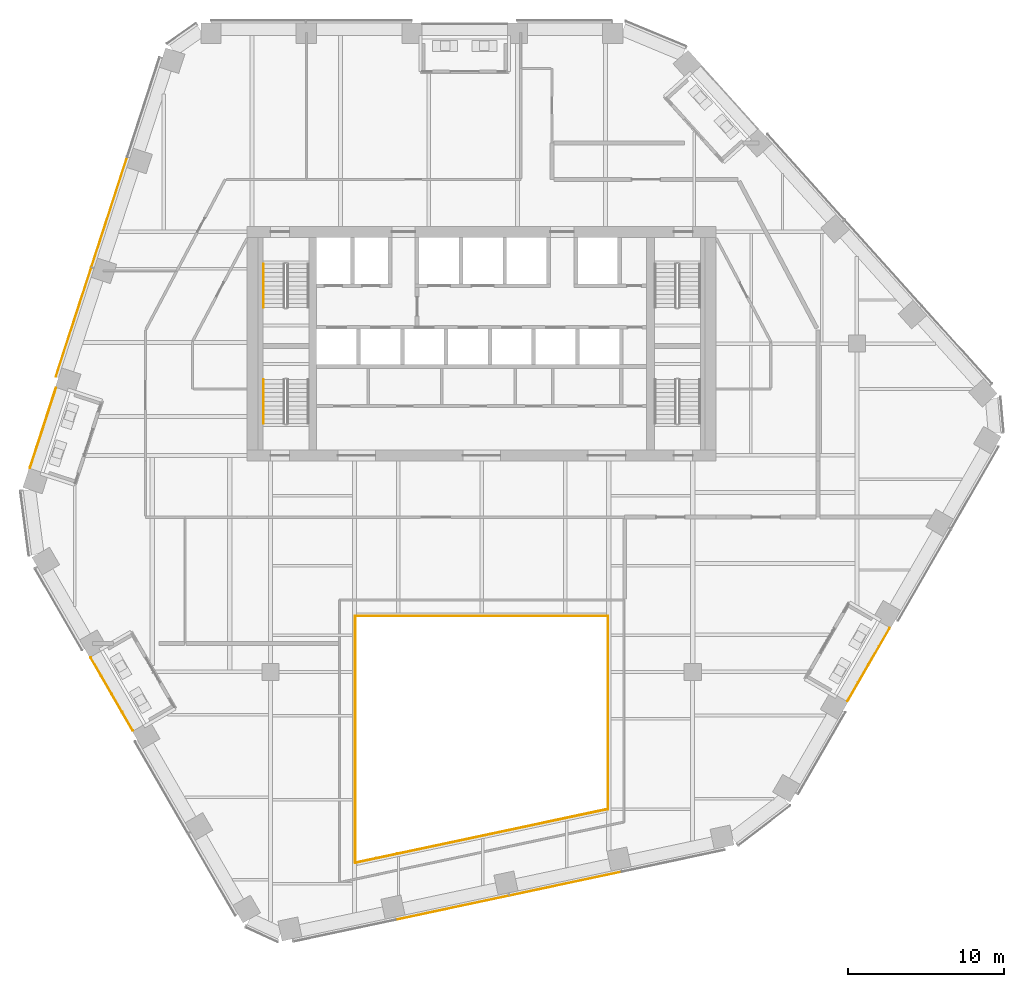
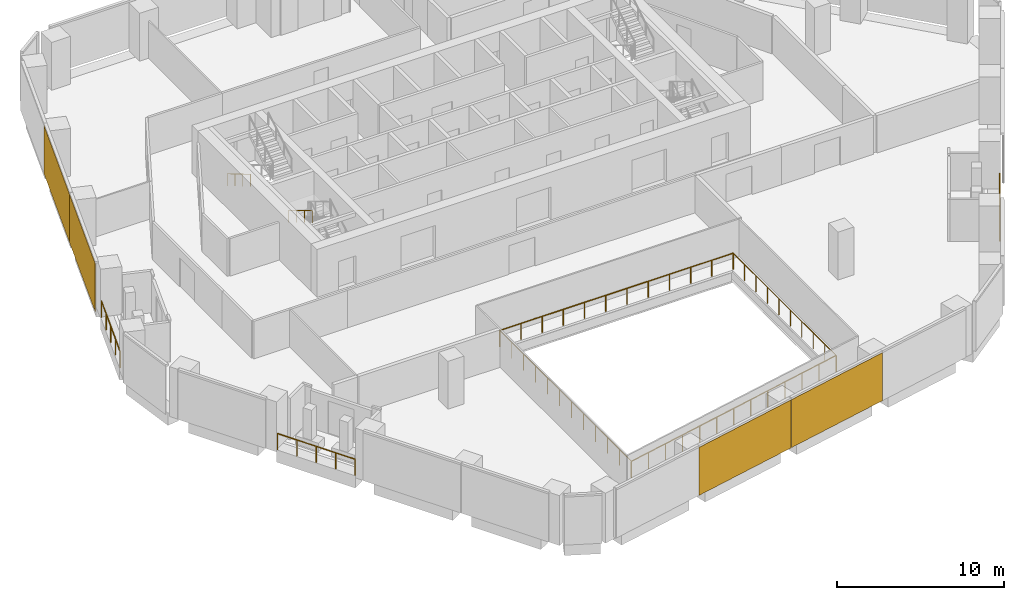
# One storey, part 22 of 25: 9 railings, 4 coverings, 2 elements without a shape of their own.
"""IFC4 building model written with IfcOpenShell, lengths in metres."""

import ifcopenshell
import ifcopenshell.guid

model = None  # the IFC model being written
_history = None  # IfcOwnerHistory: only IFC2X3 demands one
_inside = {}  # id of a spatial element -> (the spatial element, [elements in it])
_under = {}  # id of a project, library or spatial element -> (it, [spatial elements below it])
_declared = {}  # id of a project -> (the project, [libraries it declares])
_typed = {}  # id of a type object -> (the type object, [elements of that type])
_made_of = {}  # id of a material, layer set ... -> (it, [elements and type objects made of it])


def new_model(schema):
    """Start an empty IFC model of exactly this schema.

    Asked for "IFC4X3", IfcOpenShell would pick the latest addendum, in which some entities
    have other attributes; the version numbers below select the first issue.
    IFC2X3 requires an IfcOwnerHistory on every rooted entity: one is made here for all.
    """
    global model, _history
    if schema == "IFC4X3":
        model = ifcopenshell.file(schema_version=(4, 3, 0, 0))
    else:
        model = ifcopenshell.file(schema=schema)
    _inside.clear()
    _under.clear()
    _declared.clear()
    _typed.clear()
    _made_of.clear()
    _history = None
    if model.schema == "IFC2X3":
        org = make("IfcOrganization", Name="unknown")
        user = make(
            "IfcPersonAndOrganization",
            ThePerson=make("IfcPerson", FamilyName="unknown"),
            TheOrganization=org,
        )
        app = make(
            "IfcApplication",
            ApplicationDeveloper=org,
            Version="unknown",
            ApplicationFullName="unknown",
            ApplicationIdentifier="unknown",
        )
        _history = make(
            "IfcOwnerHistory",
            OwningUser=user,
            OwningApplication=app,
            ChangeAction="ADDED",
            CreationDate=0,
        )
    return model


def make(cls, **values):
    """One entity of the class cls with the attributes given. An attribute that is None is left unset."""
    return model.create_entity(
        cls, **{name: value for name, value in values.items() if value is not None}
    )


def rooted(cls, **values):
    """An entity with a GlobalId (a new one), such as an element, a storey or a relation."""
    return make(cls, GlobalId=ifcopenshell.guid.new(), OwnerHistory=_history, **values)


def si_unit(unit_type, name, prefix=None):
    """IfcSIUnit, for example si_unit("LENGTHUNIT", "METRE", prefix="MILLI")."""
    return make("IfcSIUnit", UnitType=unit_type, Prefix=prefix, Name=name)


def assignment(units):
    """IfcUnitAssignment: the units of a project."""
    return None if units is None else make("IfcUnitAssignment", Units=units)


def point(xyz):
    """IfcCartesianPoint."""
    return None if xyz is None else make("IfcCartesianPoint", Coordinates=xyz)


def direction(xyz):
    """IfcDirection."""
    return None if xyz is None else make("IfcDirection", DirectionRatios=xyz)


def frame(location, z_axis=None, x_axis=None):
    """IfcAxis2Placement3D, a coordinate frame: its origin and axes. An axis left out is left unset."""
    return make(
        "IfcAxis2Placement3D",
        Location=point(location),
        Axis=direction(z_axis),
        RefDirection=direction(x_axis),
    )


def frame_2d(location, x_axis=None):
    """IfcAxis2Placement2D, a coordinate frame in the plane: its origin and x axis."""
    return make(
        "IfcAxis2Placement2D", Location=point(location), RefDirection=direction(x_axis)
    )


def origin():
    """The frame at (0, 0, 0) with its axes left unset."""
    return frame((0.0, 0.0, 0.0))


def origin_2d():
    """The frame at (0, 0) in the plane with its x axis left unset."""
    return frame_2d((0.0, 0.0))


def place(relative_to, where):
    """IfcLocalPlacement: puts the frame where relative to a parent placement (None: the world)."""
    return make(
        "IfcLocalPlacement", PlacementRelTo=relative_to, RelativePlacement=where
    )


def context(
    kind, dimensions, precision=None, world=None, true_north=None, identifier=None
):
    """IfcGeometricRepresentationContext, for example the 3D "Model" context."""
    return make(
        "IfcGeometricRepresentationContext",
        ContextIdentifier=identifier,
        ContextType=kind,
        CoordinateSpaceDimension=dimensions,
        Precision=precision,
        WorldCoordinateSystem=world,
        TrueNorth=true_north,
    )


def subcontext(parent, identifier, kind, view, scale=None):
    """IfcGeometricRepresentationSubContext, for example "Body" below "Model"."""
    return make(
        "IfcGeometricRepresentationSubContext",
        ContextIdentifier=identifier,
        ContextType=kind,
        ParentContext=parent,
        TargetScale=scale,
        TargetView=view,
    )


def project(units=None, contexts=None):
    """IfcProject with its units and contexts."""
    return rooted(
        "IfcProject",
        Name="project",
        RepresentationContexts=contexts,
        UnitsInContext=assignment(units),
    )


def spatial(cls, under=None, at=None, **own):
    """A site, building, storey or space (cls), placed at a placement, below another one or the project."""
    s = rooted(cls, ObjectPlacement=at, **own)
    if under is not None:
        _under.setdefault(under.id(), (under, []))[1].append(s)
    return s


def profile(cls, at=None, kind="AREA", **sizes):
    """A parametric profile (cls). Its sizes go by their IFC names, for example OverallWidth=200.0."""
    return make(cls, ProfileType=kind, Position=at, **sizes)


def rectangle(**sizes):
    """IfcRectangleProfileDef."""
    return profile("IfcRectangleProfileDef", **sizes)


def circle(**sizes):
    """IfcCircleProfileDef."""
    return profile("IfcCircleProfileDef", **sizes)


def extrude(swept, where, along, depth):
    """IfcExtrudedAreaSolid: the profile swept, set in the frame where, extruded along a direction by depth."""
    return make(
        "IfcExtrudedAreaSolid",
        SweptArea=swept,
        Position=where,
        ExtrudedDirection=direction(along),
        Depth=depth,
    )


def shape(context_of_items, identifier, shape_type, items):
    """IfcShapeRepresentation: the items that make up one representation, for example the "Body"."""
    return make(
        "IfcShapeRepresentation",
        ContextOfItems=context_of_items,
        RepresentationIdentifier=identifier,
        RepresentationType=shape_type,
        Items=items,
    )


def material(Name=None, Category=None):
    """IfcMaterial."""
    return make("IfcMaterial", Name=Name, Category=Category)


def layer(
    of_material, thickness, ventilated=None, Name=None, Category=None, Priority=None
):
    """IfcMaterialLayer: one layer of a wall or slab, of a material (None: an air gap)."""
    return make(
        "IfcMaterialLayer",
        Material=of_material,
        LayerThickness=thickness,
        IsVentilated=ventilated,
        Name=Name,
        Category=Category,
        Priority=Priority,
    )


def layer_set(layers, Name=None):
    """IfcMaterialLayerSet."""
    return make("IfcMaterialLayerSet", MaterialLayers=layers, LayerSetName=Name)


def made_of(thing, what):
    """Note that an element or type object is made of a material, layer set ...; save() writes the relation."""
    if what is not None:
        _made_of.setdefault(what.id(), (what, []))[1].append(thing)
    return thing


def type_object(cls, material=None, **own):
    """A type object (cls), such as IfcWallType, which elements share."""
    return made_of(rooted(cls, **own), material)


def element(
    cls,
    number,
    at=None,
    inside=None,
    cuts=None,
    type_object=None,
    material=None,
    context=None,
    identifier="Body",
    shape_type=None,
    held_by="IfcProductDefinitionShape",
    body=None,
    shapes=None,
    **own,
):
    """One element of the class cls, such as IfcWall. Its Tag is "e" and its number.

    at: its placement. inside: the storey or other place that contains it. cuts: it is an
    opening in that element (IfcRelVoidsElement). A single representation is given by context,
    identifier, shape_type and body (its items); several are given by shapes. held_by: the class
    of the entity that holds the representations. save() writes the other relations.
    """
    e = rooted(cls, Tag="e%d" % number, ObjectPlacement=at, **own)
    if body is not None:
        shapes = [shape(context, identifier, shape_type, body)]
    if shapes is not None:
        e.Representation = make(held_by, Representations=shapes)
    if inside is not None:
        _inside.setdefault(inside.id(), (inside, []))[1].append(e)
    if cuts is not None:
        rooted(
            "IfcRelVoidsElement", RelatingBuildingElement=cuts, RelatedOpeningElement=e
        )
    if type_object is not None:
        _typed.setdefault(type_object.id(), (type_object, []))[1].append(e)
    return made_of(e, material)


def aggregate(whole, parts):
    """IfcRelAggregates: a whole, such as a stair, and the parts it consists of."""
    return rooted("IfcRelAggregates", RelatingObject=whole, RelatedObjects=parts)


def save(model, path):
    """Write the relations noted so far, then the file.

    IfcRelAggregates (storeys below a building ...), IfcRelContainedInSpatialStructure (elements
    in a storey), IfcRelDefinesByType, IfcRelAssociatesMaterial and IfcRelDeclares: one each for
    every whole, place, type object, material and project.
    """
    for whole, parts in _under.values():
        aggregate(whole, parts)
    for where, things in _inside.values():
        rooted(
            "IfcRelContainedInSpatialStructure",
            RelatedElements=things,
            RelatingStructure=where,
        )
    for kind, things in _typed.values():
        rooted("IfcRelDefinesByType", RelatedObjects=things, RelatingType=kind)
    for what, things in _made_of.values():
        rooted("IfcRelAssociatesMaterial", RelatedObjects=things, RelatingMaterial=what)
    for by, libraries in _declared.values():
        rooted("IfcRelDeclares", RelatingContext=by, RelatedDefinitions=libraries)
    model.write(path)


model = new_model("IFC4")

# Units and contexts
model_context = context("Model", 3, precision=1e-05, world=origin(), true_north=direction((0.0, 1.0)))
body_context = subcontext(model_context, "Body", "Model", "MODEL_VIEW")
ifc_project = project(units=[si_unit("LENGTHUNIT", "METRE"), si_unit("AREAUNIT", "SQUARE_METRE"), si_unit("VOLUMEUNIT", "CUBIC_METRE"), si_unit("PLANEANGLEUNIT", "RADIAN"), si_unit("MASSUNIT", "GRAM", prefix="KILO")], contexts=[model_context])

# Site, building, storey
site_placement = place(None, origin())
site = spatial("IfcSite", under=ifc_project, at=site_placement, CompositionType="ELEMENT")
building_placement = place(site_placement, origin())
building = spatial("IfcBuilding", under=site, at=building_placement, Name="Isthmus Gate Tower", CompositionType="ELEMENT")
storey_placement = place(building_placement, frame((0.0, 0.0, 174.449951171875)))
storey = spatial("IfcBuildingStorey", under=building, at=storey_placement, Name="L43", CompositionType="ELEMENT", Elevation=174.449951171875)

# Railings
ifc_material_1 = material(Name="Laminated toughened glass balustrade with steel rail", Category="steel")
railing_type_1 = type_object("IfcRailingType", Name="ATRIUM GUARD GLASS BALUSTRADE 1200", PredefinedType="GUARDRAIL", material=ifc_material_1)
railing_1_placement = place(storey_placement, frame((-8.080078125, -25.7099609375, 0.0)))
element("IfcRailing", 1, at=railing_1_placement, inside=storey, type_object=railing_type_1, Name="L43 atrium guard", PredefinedType="GUARDRAIL", context=body_context, shape_type="SweptSolid", body=[
    extrude(circle(Radius=0.02490234375, at=origin_2d()), frame((0.0, 0.0, 1.1748046875), z_axis=(0.0, 1.0, 0.0), x_axis=(-1.0, 0.0, 0.0)), (0.0, 0.0, 1.0), 15.7900390625),
    extrude(circle(Radius=0.02490234375, at=origin_2d()), origin(), (0.0, 0.0, 1.0), 1.14990234375),
    extrude(circle(Radius=0.02490234375, at=origin_2d()), frame((0.0, 1.435546875, 0.0)), (0.0, 0.0, 1.0), 1.14990234375),
    extrude(circle(Radius=0.02490234375, at=origin_2d()), frame((0.0, 2.870849609375, 0.0)), (0.0, 0.0, 1.0), 1.14990234375),
    extrude(circle(Radius=0.02490234375, at=origin_2d()), frame((0.0, 4.306396484375, 0.0)), (0.0, 0.0, 1.0), 1.14990234375),
    extrude(circle(Radius=0.02490234375, at=origin_2d()), frame((0.0, 5.741943359375, 0.0)), (0.0, 0.0, 1.0), 1.14990234375),
    extrude(circle(Radius=0.02490234375, at=origin_2d()), frame((0.0, 7.17724609375, 0.0)), (0.0, 0.0, 1.0), 1.14990234375),
    extrude(circle(Radius=0.02490234375, at=origin_2d()), frame((0.0, 8.61279296875, 0.0)), (0.0, 0.0, 1.0), 1.14990234375),
    extrude(circle(Radius=0.02490234375, at=origin_2d()), frame((0.0, 10.048095703125, 0.0)), (0.0, 0.0, 1.0), 1.14990234375),
    extrude(circle(Radius=0.02490234375, at=origin_2d()), frame((0.0, 11.483642578125, 0.0)), (0.0, 0.0, 1.0), 1.14990234375),
    extrude(circle(Radius=0.02490234375, at=origin_2d()), frame((0.0, 12.919189453125, 0.0)), (0.0, 0.0, 1.0), 1.14990234375),
    extrude(circle(Radius=0.02490234375, at=origin_2d()), frame((0.0, 14.3544921875, 0.0)), (0.0, 0.0, 1.0), 1.14990234375),
    extrude(circle(Radius=0.02490234375, at=origin_2d()), frame((0.0, 15.7900390625, 0.0)), (0.0, 0.0, 1.0), 1.14990234375),
])
railing_2_placement = place(storey_placement, frame((-8.080078125, -9.919921875, 0.0)))
element("IfcRailing", 2, at=railing_2_placement, inside=storey, type_object=railing_type_1, Name="L43 atrium guard", PredefinedType="GUARDRAIL", context=body_context, shape_type="SweptSolid", body=[
    extrude(circle(Radius=0.02490234375, at=origin_2d()), frame((0.0, 0.0, 1.1748046875), z_axis=(1.0, 0.0, 0.0), x_axis=(0.0, 1.0, 0.0)), (0.0, 0.0, 1.0), 16.16015625),
    extrude(circle(Radius=0.02490234375, at=origin_2d()), origin(), (0.0, 0.0, 1.0), 1.14990234375),
    extrude(circle(Radius=0.02490234375, at=origin_2d()), frame((1.468994140625, 0.0, 0.0)), (0.0, 0.0, 1.0), 1.14990234375),
    extrude(circle(Radius=0.02490234375, at=origin_2d()), frame((2.938232421875, 0.0, 0.0)), (0.0, 0.0, 1.0), 1.14990234375),
    extrude(circle(Radius=0.02490234375, at=origin_2d()), frame((4.4072265625, 0.0, 0.0)), (0.0, 0.0, 1.0), 1.14990234375),
    extrude(circle(Radius=0.02490234375, at=origin_2d()), frame((5.87646484375, 0.0, 0.0)), (0.0, 0.0, 1.0), 1.14990234375),
    extrude(circle(Radius=0.02490234375, at=origin_2d()), frame((7.345458984375, 0.0, 0.0)), (0.0, 0.0, 1.0), 1.14990234375),
    extrude(circle(Radius=0.02490234375, at=origin_2d()), frame((8.814697265625, 0.0, 0.0)), (0.0, 0.0, 1.0), 1.14990234375),
    extrude(circle(Radius=0.02490234375, at=origin_2d()), frame((10.28369140625, 0.0, 0.0)), (0.0, 0.0, 1.0), 1.14990234375),
    extrude(circle(Radius=0.02490234375, at=origin_2d()), frame((11.7529296875, 0.0, 0.0)), (0.0, 0.0, 1.0), 1.14990234375),
    extrude(circle(Radius=0.02490234375, at=origin_2d()), frame((13.221923828125, 0.0, 0.0)), (0.0, 0.0, 1.0), 1.14990234375),
    extrude(circle(Radius=0.02490234375, at=origin_2d()), frame((14.691162109375, 0.0, 0.0)), (0.0, 0.0, 1.0), 1.14990234375),
    extrude(circle(Radius=0.02490234375, at=origin_2d()), frame((16.16015625, 0.0, 0.0)), (0.0, 0.0, 1.0), 1.14990234375),
])
railing_3_placement = place(storey_placement, frame((8.080078125, -9.919921875, 0.0)))
element("IfcRailing", 3, at=railing_3_placement, inside=storey, type_object=railing_type_1, Name="L43 atrium guard", PredefinedType="GUARDRAIL", context=body_context, shape_type="SweptSolid", body=[
    extrude(circle(Radius=0.02490234375, at=origin_2d()), frame((0.0, 0.0, 1.1748046875), z_axis=(0.0, -1.0, 0.0), x_axis=(1.0, 0.0, 0.0)), (0.0, 0.0, 1.0), 12.35498046875),
    extrude(circle(Radius=0.02490234375, at=origin_2d()), origin(), (0.0, 0.0, 1.0), 1.14990234375),
    extrude(circle(Radius=0.02490234375, at=origin_2d()), frame((0.0, -1.372802734375, 0.0)), (0.0, 0.0, 1.0), 1.14990234375),
    extrude(circle(Radius=0.02490234375, at=origin_2d()), frame((0.0, -2.74560546875, 0.0)), (0.0, 0.0, 1.0), 1.14990234375),
    extrude(circle(Radius=0.02490234375, at=origin_2d()), frame((0.0, -4.118408203125, 0.0)), (0.0, 0.0, 1.0), 1.14990234375),
    extrude(circle(Radius=0.02490234375, at=origin_2d()), frame((0.0, -5.4912109375, 0.0)), (0.0, 0.0, 1.0), 1.14990234375),
    extrude(circle(Radius=0.02490234375, at=origin_2d()), frame((0.0, -6.86376953125, 0.0)), (0.0, 0.0, 1.0), 1.14990234375),
    extrude(circle(Radius=0.02490234375, at=origin_2d()), frame((0.0, -8.236572265625, 0.0)), (0.0, 0.0, 1.0), 1.14990234375),
    extrude(circle(Radius=0.02490234375, at=origin_2d()), frame((0.0, -9.609375, 0.0)), (0.0, 0.0, 1.0), 1.14990234375),
    extrude(circle(Radius=0.02490234375, at=origin_2d()), frame((0.0, -10.982177734375, 0.0)), (0.0, 0.0, 1.0), 1.14990234375),
    extrude(circle(Radius=0.02490234375, at=origin_2d()), frame((0.0, -12.35498046875, 0.0)), (0.0, 0.0, 1.0), 1.14990234375),
])
railing_4_placement = place(storey_placement, frame((8.080078125, -22.27490234375, 0.0)))
element("IfcRailing", 4, at=railing_4_placement, inside=storey, type_object=railing_type_1, Name="L43 atrium guard", PredefinedType="GUARDRAIL", context=body_context, shape_type="SweptSolid", body=[
    extrude(circle(Radius=0.02490234375, at=origin_2d()), frame((0.0, 0.0, 1.1748046875), z_axis=(-0.978146230105, -0.207918139013, 0.0), x_axis=(0.207918139013, -0.978146230105, 0.0)), (0.0, 0.0, 1.0), 16.521240234375),
    extrude(circle(Radius=0.02490234375, at=origin_2d()), origin(), (0.0, 0.0, 1.0), 1.14990234375),
    extrude(circle(Radius=0.02490234375, at=origin_2d()), frame((-1.3466796875, -0.2861328125, 0.0)), (0.0, 0.0, 1.0), 1.14990234375),
    extrude(circle(Radius=0.02490234375, at=origin_2d()), frame((-2.693359375, -0.572509765625, 0.0)), (0.0, 0.0, 1.0), 1.14990234375),
    extrude(circle(Radius=0.02490234375, at=origin_2d()), frame((-4.0400390625, -0.85888671875, 0.0)), (0.0, 0.0, 1.0), 1.14990234375),
    extrude(circle(Radius=0.02490234375, at=origin_2d()), frame((-5.38671875, -1.14501953125, 0.0)), (0.0, 0.0, 1.0), 1.14990234375),
    extrude(circle(Radius=0.02490234375, at=origin_2d()), frame((-6.7333984375, -1.43115234375, 0.0)), (0.0, 0.0, 1.0), 1.14990234375),
    extrude(circle(Radius=0.02490234375, at=origin_2d()), frame((-8.080078125, -1.717529296875, 0.0)), (0.0, 0.0, 1.0), 1.14990234375),
    extrude(circle(Radius=0.02490234375, at=origin_2d()), frame((-9.4267578125, -2.00390625, 0.0)), (0.0, 0.0, 1.0), 1.14990234375),
    extrude(circle(Radius=0.02490234375, at=origin_2d()), frame((-10.7734375, -2.2900390625, 0.0)), (0.0, 0.0, 1.0), 1.14990234375),
    extrude(circle(Radius=0.02490234375, at=origin_2d()), frame((-12.1201171875, -2.576171875, 0.0)), (0.0, 0.0, 1.0), 1.14990234375),
    extrude(circle(Radius=0.02490234375, at=origin_2d()), frame((-13.466796875, -2.862548828125, 0.0)), (0.0, 0.0, 1.0), 1.14990234375),
    extrude(circle(Radius=0.02490234375, at=origin_2d()), frame((-14.8134765625, -3.14892578125, 0.0)), (0.0, 0.0, 1.0), 1.14990234375),
    extrude(circle(Radius=0.02490234375, at=origin_2d()), frame((-16.16015625, -3.43505859375, 0.0)), (0.0, 0.0, 1.0), 1.14990234375),
])

# Curtain wall, coverings
ifc_material_2 = material(Name="Aluminium, pale champagne anodised", Category="aluminium")
ifc_layer_1 = layer(ifc_material_2, 0.199951171875)
ifc_layer_set_1 = layer_set([ifc_layer_1], Name="CW-1 UNITISED CURTAIN WALL 200 DEEP")
curtain_wall_type = type_object("IfcCurtainWallType", Name="CW-1 UNITISED CURTAIN WALL 200 DEEP", PredefinedType="NOTDEFINED", material=ifc_layer_set_1)
curtain_wall_1_placement = place(storey_placement, origin())
curtain_wall_1 = element("IfcCurtainWall", 5, at=curtain_wall_1_placement, inside=storey, type_object=curtain_wall_type, Name="CW-1 NW L43", PredefinedType="NOTDEFINED")
ifc_material_3 = material(Name="Aluminium composite panel, pale champagne anodised", Category="aluminium")
ifc_layer_2 = layer(ifc_material_3, 0.035888671875)
ifc_layer_set_2 = layer_set([ifc_layer_2], Name="CW-1 PALE METAL PANEL 36")
covering_type = type_object("IfcCoveringType", Name="CW-1 PALE METAL PANEL 36", PredefinedType="CLADDING", material=ifc_layer_set_2)
covering_1_placement = place(storey_placement, frame((-23.813720703125, 15.927490234375, 0.0), z_axis=(0.0, 0.0, 1.0), x_axis=(-0.309016994375, -0.951056516295, 0.0)))
covering_1 = element("IfcCovering", 6, at=covering_1_placement, type_object=covering_type, Name="CW-1 pale metal panel", PredefinedType="CLADDING", context=body_context, shape_type="SweptSolid", body=[
    extrude(rectangle(XDim=7.390869140625, YDim=0.035888671875, at=origin_2d()), origin(), (0.0, 0.0, 1.0), 3.510009765625),
])
covering_2_placement = place(storey_placement, frame((-26.10693359375, 8.8701171875, 0.0), z_axis=(0.0, 0.0, 1.0), x_axis=(-0.309016994375, -0.951056516295, 0.0)))
covering_2 = element("IfcCovering", 7, at=covering_2_placement, type_object=covering_type, Name="CW-1 pale metal panel", PredefinedType="CLADDING", context=body_context, shape_type="SweptSolid", body=[
    extrude(rectangle(XDim=7.330810546875, YDim=0.035888671875, at=origin_2d()), origin(), (0.0, 0.0, 1.0), 3.510009765625),
])
aggregate(curtain_wall_1, [covering_1, covering_2])

curtain_wall_2_placement = place(storey_placement, origin())
curtain_wall_2 = element("IfcCurtainWall", 8, at=curtain_wall_2_placement, inside=storey, type_object=curtain_wall_type, Name="CW-1 S L43", PredefinedType="NOTDEFINED")
covering_3_placement = place(storey_placement, frame((-1.88671875, -28.587158203125, 0.0), z_axis=(0.0, 0.0, 1.0), x_axis=(0.978147600734, 0.207911690818, 0.0)))
covering_3 = element("IfcCovering", 9, at=covering_3_placement, type_object=covering_type, Name="CW-1 pale metal panel", PredefinedType="CLADDING", context=body_context, shape_type="SweptSolid", body=[
    extrude(rectangle(XDim=7.390869140625, YDim=0.035888671875, at=origin_2d()), origin(), (0.0, 0.0, 1.0), 3.510009765625),
])
covering_4_placement = place(storey_placement, frame((5.371826171875, -27.044189453125, 0.0), z_axis=(0.0, 0.0, 1.0), x_axis=(0.978147600734, 0.207911690818, 0.0)))
covering_4 = element("IfcCovering", 10, at=covering_4_placement, type_object=covering_type, Name="CW-1 pale metal panel", PredefinedType="CLADDING", context=body_context, shape_type="SweptSolid", body=[
    extrude(rectangle(XDim=7.330810546875, YDim=0.035888671875, at=origin_2d()), origin(), (0.0, 0.0, 1.0), 3.510009765625),
])
aggregate(curtain_wall_2, [covering_3, covering_4])

# Railings
ifc_material_4 = material(Name="Toughened laminated glass with stainless steel posts", Category="steel")
railing_type_2 = type_object("IfcRailingType", Name="GUARD 1200 FRAMELESS GLASS", PredefinedType="GUARDRAIL", material=ifc_material_4)
railing_5_placement = place(storey_placement, frame((-27.232177734375, 4.656005859375, 0.0)))
element("IfcRailing", 11, at=railing_5_placement, inside=storey, type_object=railing_type_2, Name="LOGGIA GUARD", PredefinedType="GUARDRAIL", context=body_context, shape_type="SweptSolid", body=[
    extrude(circle(Radius=0.02490234375, at=origin_2d()), frame((0.0, 0.0, 1.1748046875), z_axis=(-0.309004718031, -0.951060505033, 0.0), x_axis=(0.951060505033, -0.309004718031, 0.0)), (0.0, 0.0, 1.0), 5.36083984375),
    extrude(circle(Radius=0.02490234375, at=origin_2d()), origin(), (0.0, 0.0, 1.0), 1.14990234375),
    extrude(circle(Radius=0.02490234375, at=origin_2d()), frame((-0.4140625, -1.274658203125, 0.0)), (0.0, 0.0, 1.0), 1.14990234375),
    extrude(circle(Radius=0.02490234375, at=origin_2d()), frame((-0.828125, -2.54931640625, 0.0)), (0.0, 0.0, 1.0), 1.14990234375),
    extrude(circle(Radius=0.02490234375, at=origin_2d()), frame((-1.242431640625, -3.82373046875, 0.0)), (0.0, 0.0, 1.0), 1.14990234375),
    extrude(circle(Radius=0.02490234375, at=origin_2d()), frame((-1.656494140625, -5.098388671875, 0.0)), (0.0, 0.0, 1.0), 1.14990234375),
])
railing_6_placement = place(storey_placement, frame((-25.004638671875, -12.5908203125, 0.0)))
element("IfcRailing", 12, at=railing_6_placement, inside=storey, type_object=railing_type_2, Name="LOGGIA GUARD", PredefinedType="GUARDRAIL", context=body_context, shape_type="SweptSolid", body=[
    extrude(circle(Radius=0.02490234375, at=origin_2d()), frame((0.0, 0.0, 1.1748046875), z_axis=(0.500001865875, -0.866024326518, 0.0), x_axis=(0.866024326518, 0.500001865875, 0.0)), (0.0, 0.0, 1.0), 5.3701171875),
    extrude(circle(Radius=0.02490234375, at=origin_2d()), origin(), (0.0, 0.0, 1.0), 1.14990234375),
    extrude(circle(Radius=0.02490234375, at=origin_2d()), frame((0.67138671875, -1.16259765625, 0.0)), (0.0, 0.0, 1.0), 1.14990234375),
    extrude(circle(Radius=0.02490234375, at=origin_2d()), frame((1.342529296875, -2.3251953125, 0.0)), (0.0, 0.0, 1.0), 1.14990234375),
    extrude(circle(Radius=0.02490234375, at=origin_2d()), frame((2.013671875, -3.488037109375, 0.0)), (0.0, 0.0, 1.0), 1.14990234375),
    extrude(circle(Radius=0.02490234375, at=origin_2d()), frame((2.68505859375, -4.650634765625, 0.0)), (0.0, 0.0, 1.0), 1.14990234375),
])
railing_7_placement = place(storey_placement, frame((23.40625, -15.359375, 0.0)))
element("IfcRailing", 13, at=railing_7_placement, inside=storey, type_object=railing_type_2, Name="LOGGIA GUARD", PredefinedType="GUARDRAIL", context=body_context, shape_type="SweptSolid", body=[
    extrude(circle(Radius=0.02490234375, at=origin_2d()), frame((0.0, 0.0, 1.1748046875), z_axis=(0.499982180423, 0.866035691677, 0.0), x_axis=(-0.866035691677, 0.499982180423, 0.0)), (0.0, 0.0, 1.0), 5.370361328125),
    extrude(circle(Radius=0.02490234375, at=origin_2d()), origin(), (0.0, 0.0, 1.0), 1.14990234375),
    extrude(circle(Radius=0.02490234375, at=origin_2d()), frame((0.67138671875, 1.16259765625, 0.0)), (0.0, 0.0, 1.0), 1.14990234375),
    extrude(circle(Radius=0.02490234375, at=origin_2d()), frame((1.342529296875, 2.325439453125, 0.0)), (0.0, 0.0, 1.0), 1.14990234375),
    extrude(circle(Radius=0.02490234375, at=origin_2d()), frame((2.013671875, 3.48828125, 0.0)), (0.0, 0.0, 1.0), 1.14990234375),
    extrude(circle(Radius=0.02490234375, at=origin_2d()), frame((2.68505859375, 4.65087890625, 0.0)), (0.0, 0.0, 1.0), 1.14990234375),
])
ifc_material_5 = material(Name="Stainless steel handrail", Category="steel")
railing_type_3 = type_object("IfcRailingType", Name="STAIR HANDRAIL 900", PredefinedType="HANDRAIL", material=ifc_material_5)
railing_8_placement = place(storey_placement, frame((-13.949951171875, 12.60009765625, 0.166015625)))
element("IfcRailing", 14, at=railing_8_placement, inside=storey, type_object=railing_type_3, Name="L43 ST1 stair handrail 1", PredefinedType="HANDRAIL", context=body_context, shape_type="SweptSolid", body=[
    extrude(circle(Radius=0.02392578125, at=origin_2d()), frame((0.0, 0.0, 0.8759765625), z_axis=(0.0, -0.860339051648, 0.50972219513), x_axis=(1.0, 0.0, 0.0)), (0.0, 0.0, 1.0), 3.254638671875),
    extrude(circle(Radius=0.02099609375, at=origin_2d()), origin(), (0.0, 0.0, 1.0), 0.851806640625),
    extrude(circle(Radius=0.02099609375, at=origin_2d()), frame((0.0, -0.933349609375, 0.552978515625)), (0.0, 0.0, 1.0), 0.851806640625),
    extrude(circle(Radius=0.02099609375, at=origin_2d()), frame((0.0, -1.86669921875, 1.10595703125)), (0.0, 0.0, 1.0), 0.851806640625),
    extrude(circle(Radius=0.02099609375, at=origin_2d()), frame((0.0, -2.800048828125, 1.658935546875)), (0.0, 0.0, 1.0), 0.851806640625),
])
railing_9_placement = place(storey_placement, frame((-13.949951171875, 5.199951171875, 1.990966796875)))
element("IfcRailing", 15, at=railing_9_placement, inside=storey, type_object=railing_type_3, Name="L43 ST7 stair handrail 2", PredefinedType="HANDRAIL", context=body_context, shape_type="SweptSolid", body=[
    extrude(circle(Radius=0.02392578125, at=origin_2d()), frame((0.0, 0.0, 0.8759765625), z_axis=(0.0, -0.860306154799, 0.50977771628), x_axis=(1.0, 0.0, 0.0)), (0.0, 0.0, 1.0), 3.254638671875),
    extrude(circle(Radius=0.02099609375, at=origin_2d()), origin(), (0.0, 0.0, 1.0), 0.851806640625),
    extrude(circle(Radius=0.02099609375, at=origin_2d()), frame((0.0, -0.933349609375, 0.552978515625)), (0.0, 0.0, 1.0), 0.851806640625),
    extrude(circle(Radius=0.02099609375, at=origin_2d()), frame((0.0, -1.86669921875, 1.106201171875)), (0.0, 0.0, 1.0), 0.851806640625),
    extrude(circle(Radius=0.02099609375, at=origin_2d()), frame((0.0, -2.800048828125, 1.6591796875)), (0.0, 0.0, 1.0), 0.851806640625),
])

save(model, "model.ifc")
